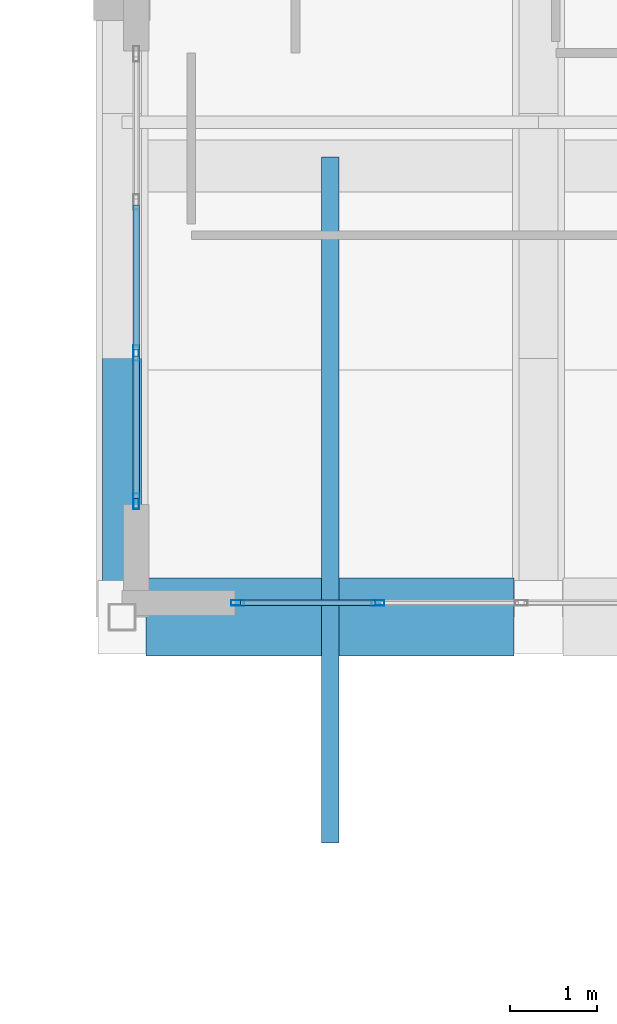
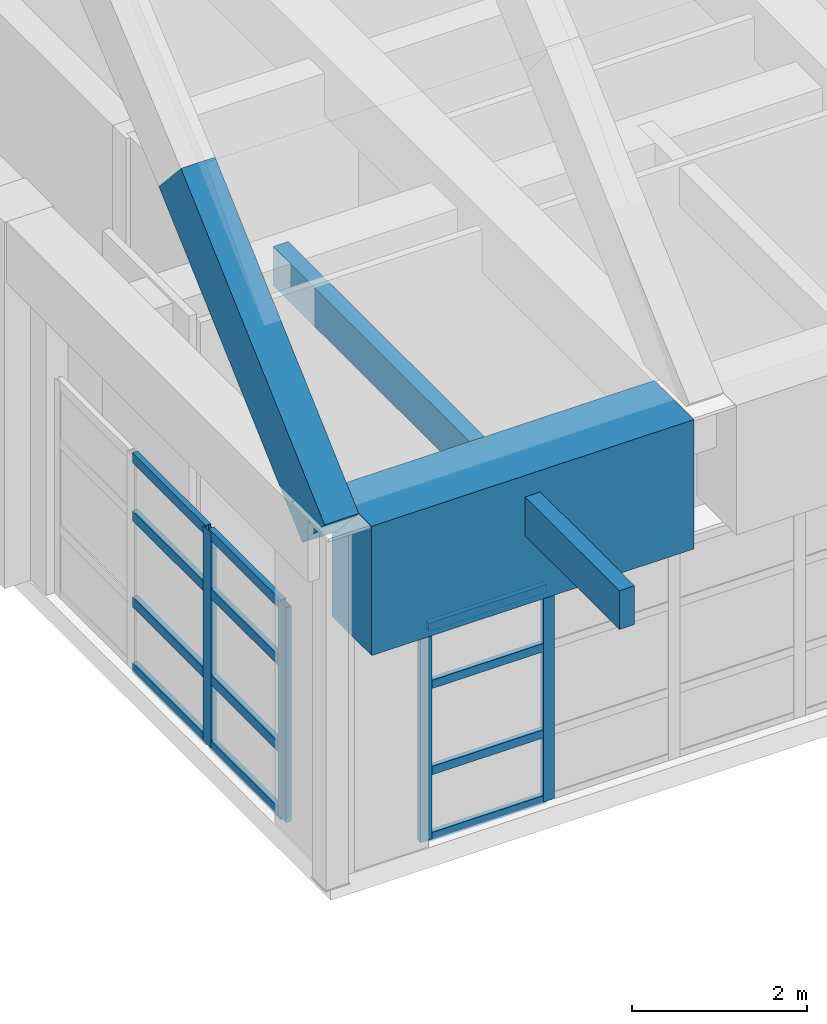
# One storey, part 27 of 78: 17 members, 2 beams, 2 elements without a shape of their own.
"""IFC4 building model written with IfcOpenShell, lengths in metres."""

from ifc_helpers import new_model, si_unit, direction, frame, origin, origin_2d, place, context, subcontext, project, spatial, rectangle, hollow_rectangle, extrude, material, layer, layer_set, material_profile, profile_set, type_object, element, aggregate, save


model = new_model("IFC4")

# Units and contexts
model_context = context("Model", 3, precision=1e-05, world=origin(), true_north=direction((0.0, 1.0)))
body_context = subcontext(model_context, "Body", "Model", "MODEL_VIEW")
ifc_project = project(units=[si_unit("LENGTHUNIT", "METRE"), si_unit("AREAUNIT", "SQUARE_METRE"), si_unit("VOLUMEUNIT", "CUBIC_METRE"), si_unit("PLANEANGLEUNIT", "RADIAN"), si_unit("MASSUNIT", "GRAM", prefix="KILO")], contexts=[model_context])

# Site, building, storey
site_placement = place(None, origin())
site = spatial("IfcSite", under=ifc_project, at=site_placement, CompositionType="ELEMENT")
building_placement = place(site_placement, origin())
building = spatial("IfcBuilding", under=site, at=building_placement, Name="Quendrovan Civic Courthouse", CompositionType="ELEMENT")
storey_placement = place(building_placement, frame((0.0, 0.0, 20.39990234375)))
storey = spatial("IfcBuildingStorey", under=building, at=storey_placement, Name="L05", CompositionType="ELEMENT", Elevation=20.39990234375)

# Beams
ifc_material_1 = material(Name="Concrete C45/55", Category="concrete")
ifc_material_profile_1 = material_profile(ifc_material_1, rectangle(XDim=0.89990234375, YDim=1.800048828125, at=origin_2d()), Name="RC-TG-900x1800")
ifc_profile_set_1 = profile_set([ifc_material_profile_1], Name="Concrete C45/55")
beam_type_1 = type_object("IfcBeamType", Name="BM-TG1800", PredefinedType="BEAM", material=ifc_profile_set_1)
beam_1_placement = place(storey_placement, frame((109.47998046875, 87.60009765625, 4.2001953125), z_axis=(1.0, 0.0, 0.0), x_axis=(0.0, 1.0, 0.0)))
element("IfcBeam", 1, at=beam_1_placement, inside=storey, type_object=beam_type_1, Name="BV1 Springing Collector Girder S-1", PredefinedType="BEAM", context=body_context, shape_type="SweptSolid", body=[
    extrude(rectangle(XDim=0.89990234375, YDim=1.800048828125, at=origin_2d()), origin(), (0.0, 0.0, 1.0), 4.239990234375),
])
ifc_material_2 = material(Name="Concrete C40/50", Category="concrete")
ifc_material_profile_2 = material_profile(ifc_material_2, rectangle(XDim=0.449951171875, YDim=0.75, at=origin_2d()), Name="RC-VRIB-450x750")
ifc_profile_set_2 = profile_set([ifc_material_profile_2], Name="Concrete C40/50")
beam_type_2 = type_object("IfcBeamType", Name="BM-VRIB750", PredefinedType="BEAM", material=ifc_profile_set_2)
beam_2_placement = place(storey_placement, frame((109.199951171875, 87.60009765625, 4.900146484375), z_axis=(0.0, 0.740733725172, 0.671798740988), x_axis=(-1.0, 0.0, 0.0)))
element("IfcBeam", 2, at=beam_2_placement, inside=storey, type_object=beam_type_2, Name="BV1 Concrete Vault Arch Rib A1-C1", PredefinedType="BEAM", context=body_context, shape_type="SweptSolid", body=[
    extrude(rectangle(XDim=0.449951171875, YDim=0.75, at=origin_2d()), origin(), (0.0, 0.0, 1.0), 4.423583984375),
])

# Curtain wall, members
ifc_material_3 = material(Name="Bronze anodised aluminium and low-E glass", Category="aluminium")
ifc_layer_1 = layer(ifc_material_3, 0.179931640625, Name="Bronze anodised aluminium and low-E glass")
ifc_layer_set_1 = layer_set([ifc_layer_1], Name="Bronze anodised aluminium and low-E glass")
curtain_wall_type_1 = type_object("IfcCurtainWallType", Name="CW-U52x30", PredefinedType="USERDEFINED", material=ifc_layer_set_1)
curtain_wall_1_placement = place(storey_placement, origin())
curtain_wall_1 = element("IfcCurtainWall", 3, at=curtain_wall_1_placement, inside=storey, type_object=curtain_wall_type_1, Name="L05 Unitised Hurricane Curtain Wall CW-202", ObjectType="UNITISED CURTAIN WALL", PredefinedType="USERDEFINED")
ifc_material_4 = material(Name="Bronze anodised aluminium", Category="aluminium")
ifc_material_profile_3 = material_profile(ifc_material_4, hollow_rectangle(XDim=0.070068359375, YDim=0.179931640625, WallThickness=0.00390625, at=origin_2d()), Name="CW-MULL-70x180")
ifc_profile_set_3 = profile_set([ifc_material_profile_3], Name="Bronze anodised aluminium")
member_type_1 = type_object("IfcMemberType", Name="CW-MULL-A", PredefinedType="MULLION", material=ifc_profile_set_3)
member_1_placement = place(storey_placement, frame((109.364990234375, 88.93505859375, 0.0), z_axis=(0.0, 0.0, 1.0), x_axis=(-1.0, 0.0, 0.0)))
member_1 = element("IfcMember", 4, at=member_1_placement, type_object=member_type_1, Name="CW-202 mullion 1", PredefinedType="MULLION", context=body_context, shape_type="SweptSolid", body=[
    extrude(hollow_rectangle(XDim=0.070068359375, YDim=0.179931640625, WallThickness=0.00390625, at=origin_2d()), origin(), (0.0, 0.0, 1.0), 2.989990234375),
])
member_2_placement = place(storey_placement, frame((109.364990234375, 90.6416015625, 0.0), z_axis=(0.0, 0.0, 1.0), x_axis=(-1.0, 0.0, 0.0)))
member_2 = element("IfcMember", 5, at=member_2_placement, type_object=member_type_1, Name="CW-202 mullion 2", PredefinedType="MULLION", context=body_context, shape_type="SweptSolid", body=[
    extrude(hollow_rectangle(XDim=0.070068359375, YDim=0.179931640625, WallThickness=0.00390625, at=origin_2d()), origin(), (0.0, 0.0, 1.0), 2.989990234375),
])

ifc_layer_2 = layer(ifc_material_3, 0.179931640625, Name="Bronze anodised aluminium and low-E glass")
ifc_layer_set_2 = layer_set([ifc_layer_2], Name="Bronze anodised aluminium and low-E glass")
curtain_wall_type_2 = type_object("IfcCurtainWallType", Name="CW-U66x30", PredefinedType="USERDEFINED", material=ifc_layer_set_2)
curtain_wall_2_placement = place(storey_placement, origin())
curtain_wall_2 = element("IfcCurtainWall", 6, at=curtain_wall_2_placement, inside=storey, type_object=curtain_wall_type_2, Name="L05 Unitised Hurricane Curtain Wall CW-201", ObjectType="UNITISED CURTAIN WALL", PredefinedType="USERDEFINED")
ifc_material_profile_4 = material_profile(ifc_material_4, hollow_rectangle(XDim=0.06494140625, YDim=0.14990234375, WallThickness=0.00390625, at=origin_2d()), Name="CW-MULL-65x150")
ifc_profile_set_4 = profile_set([ifc_material_profile_4], Name="Bronze anodised aluminium")
member_type_2 = type_object("IfcMemberType", Name="CW-MULL-B", PredefinedType="MULLION", material=ifc_profile_set_4)
member_3_placement = place(storey_placement, frame((112.14990234375, 87.764892578125, 0.0), z_axis=(0.0, 0.0, 1.0), x_axis=(0.0, -1.0, 0.0)))
member_3 = element("IfcMember", 7, at=member_3_placement, type_object=member_type_2, Name="CW-201 mullion 4", PredefinedType="MULLION", context=body_context, shape_type="SweptSolid", body=[
    extrude(hollow_rectangle(XDim=0.06494140625, YDim=0.14990234375, WallThickness=0.00390625, at=origin_2d()), origin(), (0.0, 0.0, 1.0), 2.989990234375),
])
member_4_placement = place(storey_placement, frame((110.532470703125, 87.764892578125, 0.0), z_axis=(0.0, 0.0, 1.0), x_axis=(0.0, -1.0, 0.0)))
member_4 = element("IfcMember", 8, at=member_4_placement, type_object=member_type_2, Name="CW-201 mullion 5", PredefinedType="MULLION", context=body_context, shape_type="SweptSolid", body=[
    extrude(hollow_rectangle(XDim=0.06494140625, YDim=0.14990234375, WallThickness=0.00390625, at=origin_2d()), origin(), (0.0, 0.0, 1.0), 2.989990234375),
])

# Member
ifc_material_profile_5 = material_profile(ifc_material_4, hollow_rectangle(XDim=0.070068359375, YDim=0.139892578125, WallThickness=0.00390625, at=origin_2d()), Name="CW-TRAN-70x140")
ifc_profile_set_5 = profile_set([ifc_material_profile_5], Name="Bronze anodised aluminium")
member_type_3 = type_object("IfcMemberType", Name="CW-TRAN-A", PredefinedType="USERDEFINED", material=ifc_profile_set_5)
member_5_placement = place(storey_placement, frame((109.364990234375, 88.969970703125, 0.03515625), z_axis=(0.0, 1.0, 0.0), x_axis=(-1.0, 0.0, 0.0)))
member_5 = element("IfcMember", 9, at=member_5_placement, type_object=member_type_3, Name="CW-202 transom 1.1", ObjectType="TRANSOM", PredefinedType="USERDEFINED", context=body_context, shape_type="SweptSolid", body=[
    extrude(hollow_rectangle(XDim=0.070068359375, YDim=0.139892578125, WallThickness=0.00390625, at=origin_2d()), origin(), (0.0, 0.0, 1.0), 1.63671875),
])

member_6_placement = place(storey_placement, frame((109.364990234375, 88.969970703125, 0.9501953125), z_axis=(0.0, 1.0, 0.0), x_axis=(-1.0, 0.0, 0.0)))
member_6 = element("IfcMember", 10, at=member_6_placement, type_object=member_type_3, Name="CW-202 transom 1.2", ObjectType="TRANSOM", PredefinedType="USERDEFINED", context=body_context, shape_type="SweptSolid", body=[
    extrude(hollow_rectangle(XDim=0.070068359375, YDim=0.139892578125, WallThickness=0.00390625, at=origin_2d()), origin(), (0.0, 0.0, 1.0), 1.63671875),
])

member_7_placement = place(storey_placement, frame((109.364990234375, 88.969970703125, 2.150146484375), z_axis=(0.0, 1.0, 0.0), x_axis=(-1.0, 0.0, 0.0)))
member_7 = element("IfcMember", 11, at=member_7_placement, type_object=member_type_3, Name="CW-202 transom 1.3", ObjectType="TRANSOM", PredefinedType="USERDEFINED", context=body_context, shape_type="SweptSolid", body=[
    extrude(hollow_rectangle(XDim=0.070068359375, YDim=0.139892578125, WallThickness=0.00390625, at=origin_2d()), origin(), (0.0, 0.0, 1.0), 1.63671875),
])

member_8_placement = place(storey_placement, frame((109.364990234375, 88.969970703125, 2.955078125), z_axis=(0.0, 1.0, 0.0), x_axis=(-1.0, 0.0, 0.0)))
member_8 = element("IfcMember", 12, at=member_8_placement, type_object=member_type_3, Name="CW-202 transom 1.4", ObjectType="TRANSOM", PredefinedType="USERDEFINED", context=body_context, shape_type="SweptSolid", body=[
    extrude(hollow_rectangle(XDim=0.070068359375, YDim=0.139892578125, WallThickness=0.00390625, at=origin_2d()), origin(), (0.0, 0.0, 1.0), 1.63671875),
])

member_9_placement = place(storey_placement, frame((109.364990234375, 90.6767578125, 0.03515625), z_axis=(0.0, 1.0, 0.0), x_axis=(-1.0, 0.0, 0.0)))
member_9 = element("IfcMember", 13, at=member_9_placement, type_object=member_type_3, Name="CW-202 transom 2.1", ObjectType="TRANSOM", PredefinedType="USERDEFINED", context=body_context, shape_type="SweptSolid", body=[
    extrude(hollow_rectangle(XDim=0.070068359375, YDim=0.139892578125, WallThickness=0.00390625, at=origin_2d()), origin(), (0.0, 0.0, 1.0), 1.671630859375),
])

member_10_placement = place(storey_placement, frame((109.364990234375, 90.6767578125, 0.9501953125), z_axis=(0.0, 1.0, 0.0), x_axis=(-1.0, 0.0, 0.0)))
member_10 = element("IfcMember", 14, at=member_10_placement, type_object=member_type_3, Name="CW-202 transom 2.2", ObjectType="TRANSOM", PredefinedType="USERDEFINED", context=body_context, shape_type="SweptSolid", body=[
    extrude(hollow_rectangle(XDim=0.070068359375, YDim=0.139892578125, WallThickness=0.00390625, at=origin_2d()), origin(), (0.0, 0.0, 1.0), 1.671630859375),
])

member_11_placement = place(storey_placement, frame((109.364990234375, 90.6767578125, 2.150146484375), z_axis=(0.0, 1.0, 0.0), x_axis=(-1.0, 0.0, 0.0)))
member_11 = element("IfcMember", 15, at=member_11_placement, type_object=member_type_3, Name="CW-202 transom 2.3", ObjectType="TRANSOM", PredefinedType="USERDEFINED", context=body_context, shape_type="SweptSolid", body=[
    extrude(hollow_rectangle(XDim=0.070068359375, YDim=0.139892578125, WallThickness=0.00390625, at=origin_2d()), origin(), (0.0, 0.0, 1.0), 1.671630859375),
])

member_12_placement = place(storey_placement, frame((109.364990234375, 90.6767578125, 2.955078125), z_axis=(0.0, 1.0, 0.0), x_axis=(-1.0, 0.0, 0.0)))
member_12 = element("IfcMember", 16, at=member_12_placement, type_object=member_type_3, Name="CW-202 transom 2.4", ObjectType="TRANSOM", PredefinedType="USERDEFINED", context=body_context, shape_type="SweptSolid", body=[
    extrude(hollow_rectangle(XDim=0.070068359375, YDim=0.139892578125, WallThickness=0.00390625, at=origin_2d()), origin(), (0.0, 0.0, 1.0), 1.671630859375),
])

aggregate(curtain_wall_1, [member_1, member_2, member_5, member_6, member_7, member_8, member_9, member_10, member_11, member_12])

ifc_material_profile_6 = material_profile(ifc_material_4, hollow_rectangle(XDim=0.06494140625, YDim=0.114990234375, WallThickness=0.00390625, at=origin_2d()), Name="CW-TRAN-65x115")
ifc_profile_set_6 = profile_set([ifc_material_profile_6], Name="Bronze anodised aluminium")
member_type_4 = type_object("IfcMemberType", Name="CW-TRAN-B", PredefinedType="USERDEFINED", material=ifc_profile_set_6)
member_13_placement = place(storey_placement, frame((112.117431640625, 87.764892578125, 0.03271484375), z_axis=(-1.0, 0.0, 0.0), x_axis=(0.0, -1.0, 0.0)))
member_13 = element("IfcMember", 17, at=member_13_placement, type_object=member_type_4, Name="CW-201 transom 4.1", ObjectType="TRANSOM", PredefinedType="USERDEFINED", context=body_context, shape_type="SweptSolid", body=[
    extrude(hollow_rectangle(XDim=0.06494140625, YDim=0.114990234375, WallThickness=0.00390625, at=origin_2d()), origin(), (0.0, 0.0, 1.0), 1.552490234375),
])

member_14_placement = place(storey_placement, frame((112.117431640625, 87.764892578125, 0.9501953125), z_axis=(-1.0, 0.0, 0.0), x_axis=(0.0, -1.0, 0.0)))
member_14 = element("IfcMember", 18, at=member_14_placement, type_object=member_type_4, Name="CW-201 transom 4.2", ObjectType="TRANSOM", PredefinedType="USERDEFINED", context=body_context, shape_type="SweptSolid", body=[
    extrude(hollow_rectangle(XDim=0.06494140625, YDim=0.114990234375, WallThickness=0.00390625, at=origin_2d()), origin(), (0.0, 0.0, 1.0), 1.552490234375),
])

member_15_placement = place(storey_placement, frame((112.117431640625, 87.764892578125, 2.150146484375), z_axis=(-1.0, 0.0, 0.0), x_axis=(0.0, -1.0, 0.0)))
member_15 = element("IfcMember", 19, at=member_15_placement, type_object=member_type_4, Name="CW-201 transom 4.3", ObjectType="TRANSOM", PredefinedType="USERDEFINED", context=body_context, shape_type="SweptSolid", body=[
    extrude(hollow_rectangle(XDim=0.06494140625, YDim=0.114990234375, WallThickness=0.00390625, at=origin_2d()), origin(), (0.0, 0.0, 1.0), 1.552490234375),
])

member_16_placement = place(storey_placement, frame((112.117431640625, 87.764892578125, 2.95751953125), z_axis=(-1.0, 0.0, 0.0), x_axis=(0.0, -1.0, 0.0)))
member_16 = element("IfcMember", 20, at=member_16_placement, type_object=member_type_4, Name="CW-201 transom 4.4", ObjectType="TRANSOM", PredefinedType="USERDEFINED", context=body_context, shape_type="SweptSolid", body=[
    extrude(hollow_rectangle(XDim=0.06494140625, YDim=0.114990234375, WallThickness=0.00390625, at=origin_2d()), origin(), (0.0, 0.0, 1.0), 1.552490234375),
])

aggregate(curtain_wall_2, [member_3, member_4, member_13, member_14, member_15, member_16])

ifc_material_5 = material(Name="Western Red Cedar Glulam GL28h", Category="wood")
ifc_material_profile_7 = material_profile(ifc_material_5, rectangle(XDim=0.199951171875, YDim=0.5400390625, at=origin_2d()), Name="GL28H-200x540")
ifc_profile_set_7 = profile_set([ifc_material_profile_7], Name="Western Red Cedar Glulam GL28h")
member_type_5 = type_object("IfcMemberType", Name="MEM-PUR-GL540", PredefinedType="PURLIN", material=ifc_profile_set_7)
member_17_placement = place(storey_placement, frame((111.60009765625, 85.0, 4.530029296875), z_axis=(0.0, 1.0, 0.0), x_axis=(-1.0, 0.0, 0.0)))
element("IfcMember", 21, at=member_17_placement, inside=storey, type_object=member_type_5, Name="BV1 Cedar Glulam South Hurricane Eave Outrigger B1", PredefinedType="PURLIN", context=body_context, shape_type="SweptSolid", body=[
    extrude(rectangle(XDim=0.199951171875, YDim=0.5400390625, at=origin_2d()), origin(), (0.0, 0.0, 1.0), 7.89990234375),
])

save(model, "model.ifc")
